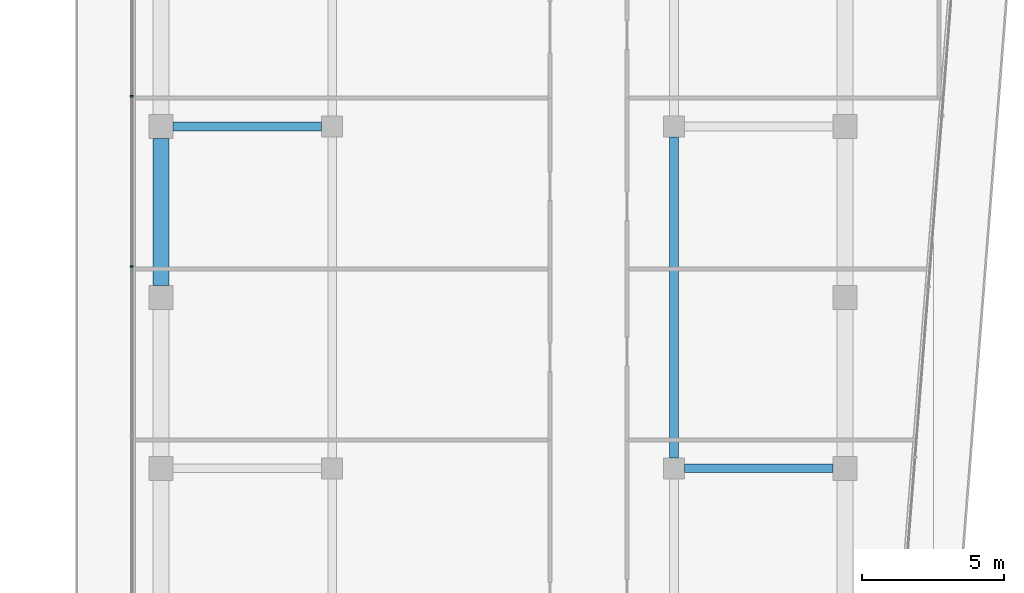
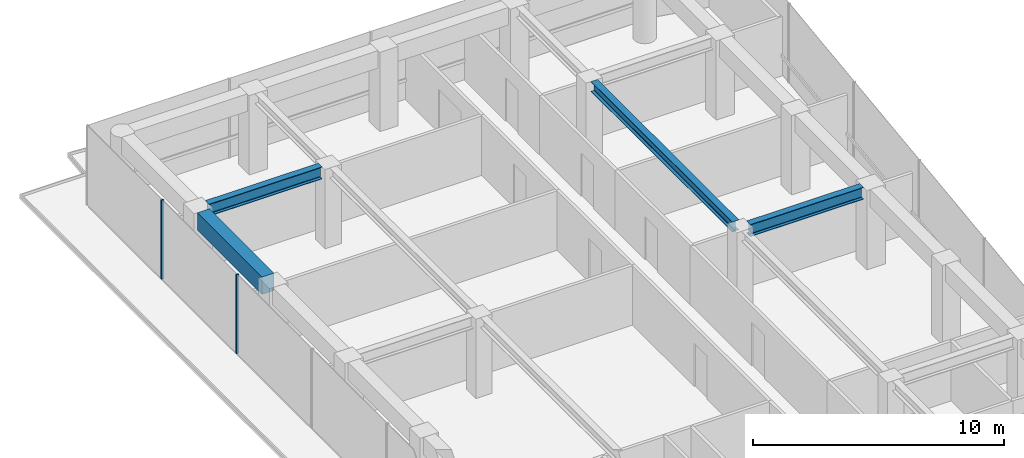
# One storey, part 12 of 22: 4 beams, 2 members, 1 element without a shape of its own.
"""IFC4 building model written with IfcOpenShell, lengths in metres."""

from ifc_helpers import new_model, si_unit, direction, frame, origin, origin_2d, place, context, subcontext, project, spatial, rectangle, i_section, extrude, material, layer, layer_set, material_profile, profile_set, type_object, element, aggregate, save


model = new_model("IFC4")

# Units and contexts
model_context = context("Model", 3, precision=1e-05, world=origin(), true_north=direction((0.0, 1.0)))
body_context = subcontext(model_context, "Body", "Model", "MODEL_VIEW")
ifc_project = project(units=[si_unit("LENGTHUNIT", "METRE"), si_unit("AREAUNIT", "SQUARE_METRE"), si_unit("VOLUMEUNIT", "CUBIC_METRE"), si_unit("PLANEANGLEUNIT", "RADIAN"), si_unit("MASSUNIT", "GRAM", prefix="KILO")], contexts=[model_context])

# Site, building, storey
site_placement = place(None, origin())
site = spatial("IfcSite", under=ifc_project, at=site_placement, CompositionType="ELEMENT")
building_placement = place(site_placement, origin())
building = spatial("IfcBuilding", under=site, at=building_placement, Name="Welwitschia Terrace Campus", CompositionType="ELEMENT")
storey_placement = place(building_placement, frame((0.0, 0.0, 150.800048828125)))
storey = spatial("IfcBuildingStorey", under=building, at=storey_placement, Name="L33", CompositionType="ELEMENT", Elevation=150.800048828125)

# Beam
ifc_material_1 = material(Name="Steel S355", Category="steel")
ifc_material_profile_1 = material_profile(ifc_material_1, i_section(OverallWidth=0.300048828125, OverallDepth=0.489990234375, WebThickness=0.011962890625, FlangeThickness=0.02294921875, FilletRadius=0.027099609375, at=origin_2d()))
ifc_profile_set_1 = profile_set([ifc_material_profile_1], Name="Steel S355")
beam_type_1 = type_object("IfcBeamType", Name="Interior girder HE 500 A", PredefinedType="BEAM", material=ifc_profile_set_1)
beam_1_placement = place(storey_placement, frame((18.0, 44.37548828125, 3.60498046875), z_axis=(0.0, 1.0, 0.0), x_axis=(-1.0, 0.0, 0.0)))
element("IfcBeam", 1, at=beam_1_placement, inside=storey, type_object=beam_type_1, Name="Girder GB4", PredefinedType="BEAM", context=body_context, shape_type="SweptSolid", body=[
    extrude(i_section(OverallWidth=0.300048828125, OverallDepth=0.489990234375, WebThickness=0.011962890625, FlangeThickness=0.02294921875, FilletRadius=0.027099609375, at=origin_2d()), origin(), (0.0, 0.0, 1.0), 11.2490234375),
])

# Curtain wall, members
ifc_material_2 = material(Name="Bronze anodised aluminium", Category="aluminium")
ifc_layer = layer(ifc_material_2, 0.1201171875)
ifc_layer_set = layer_set([ifc_layer], Name="Bronze anodised aluminium")
curtain_wall_type = type_object("IfcCurtainWallType", Name="Curtain wall CW2 tower 6000", PredefinedType="NOTDEFINED", material=ifc_layer_set)
curtain_wall_placement = place(storey_placement, origin())
curtain_wall = element("IfcCurtainWall", 2, at=curtain_wall_placement, inside=storey, type_object=curtain_wall_type, Name="CW L33.0.0", PredefinedType="NOTDEFINED")
ifc_material_3 = material(Name="Bronze anodised aluminium", Category="aluminium")
ifc_material_profile_2 = material_profile(ifc_material_3, rectangle(XDim=0.1201171875, YDim=0.06005859375, at=origin_2d()))
ifc_profile_set_2 = profile_set([ifc_material_profile_2], Name="Bronze anodised aluminium")
member_type = type_object("IfcMemberType", Name="Mullion 60x120", PredefinedType="MULLION", material=ifc_profile_set_2)
member_1_placement = place(storey_placement, frame((-1.030029296875, 57.059326171875, 0.0), z_axis=(0.0, 0.0, 1.0), x_axis=(1.0, 0.0, 0.0)))
member_1 = element("IfcMember", 3, at=member_1_placement, type_object=member_type, Name="Mullion L33.0.0.1", PredefinedType="MULLION", context=body_context, shape_type="SweptSolid", body=[
    extrude(rectangle(XDim=0.1201171875, YDim=0.06005859375, at=origin_2d()), origin(), (0.0, 0.0, 1.0), 3.849853515625),
])
member_2_placement = place(storey_placement, frame((-1.030029296875, 51.08837890625, 0.0), z_axis=(0.0, 0.0, 1.0), x_axis=(1.0, 0.0, 0.0)))
member_2 = element("IfcMember", 4, at=member_2_placement, type_object=member_type, Name="Mullion L33.0.0.2", PredefinedType="MULLION", context=body_context, shape_type="SweptSolid", body=[
    extrude(rectangle(XDim=0.1201171875, YDim=0.06005859375, at=origin_2d()), origin(), (0.0, 0.0, 1.0), 3.849853515625),
])
aggregate(curtain_wall, [member_1, member_2])

# Beams
ifc_material_4 = material(Name="Steel S355", Category="steel")
ifc_material_profile_3 = material_profile(ifc_material_4, i_section(OverallWidth=0.300048828125, OverallDepth=0.590087890625, WebThickness=0.012939453125, FlangeThickness=0.02490234375, FilletRadius=0.027099609375, at=origin_2d()))
ifc_profile_set_3 = profile_set([ifc_material_profile_3], Name="Steel S355")
beam_type_2 = type_object("IfcBeamType", Name="Primary beam HE 600 A", PredefinedType="BEAM", material=ifc_profile_set_3)
for number, where, z_axis, x_axis, name in (
    (5, (23.574462890625, 44.0, 3.554931640625), (-1.0, 0.0, 0.0), (0.0, -1.0, 0.0), "Primary beam PB4"),
    (6, (0.425537109375, 56.0, 3.554931640625), (1.0, 0.0, 0.0), (0.0, 1.0, 0.0), "Primary beam PB4"),
):
    element("IfcBeam", number, at=place(storey_placement, frame(where, z_axis=z_axis, x_axis=x_axis)), inside=storey, type_object=beam_type_2, Name=name, PredefinedType="BEAM", context=body_context, shape_type="SweptSolid", body=[
        extrude(i_section(OverallWidth=0.300048828125, OverallDepth=0.590087890625, WebThickness=0.012939453125, FlangeThickness=0.02490234375, FilletRadius=0.027099609375, at=origin_2d()), origin(), (0.0, 0.0, 1.0), 5.198974609375),
    ])
ifc_material_5 = material(Name="Concrete C50/60", Category="concrete")
ifc_material_profile_4 = material_profile(ifc_material_5, rectangle(XDim=0.550048828125, YDim=0.85009765625, at=origin_2d()))
ifc_profile_set_4 = profile_set([ifc_material_profile_4], Name="Concrete C50/60")
beam_type_3 = type_object("IfcBeamType", Name="Ring spandrel 550x850", PredefinedType="SPANDREL", material=ifc_profile_set_4)
beam_2_placement = place(storey_placement, frame((0.0, 55.574462890625, 3.425048828125), z_axis=(0.0, -1.0, 0.0), x_axis=(1.0, 0.0, 0.0)))
element("IfcBeam", 7, at=beam_2_placement, inside=storey, type_object=beam_type_3, Name="Spandrel SP3", PredefinedType="SPANDREL", context=body_context, shape_type="SweptSolid", body=[
    extrude(rectangle(XDim=0.550048828125, YDim=0.85009765625, at=origin_2d()), origin(), (0.0, 0.0, 1.0), 5.14892578125),
])

save(model, "model.ifc")
